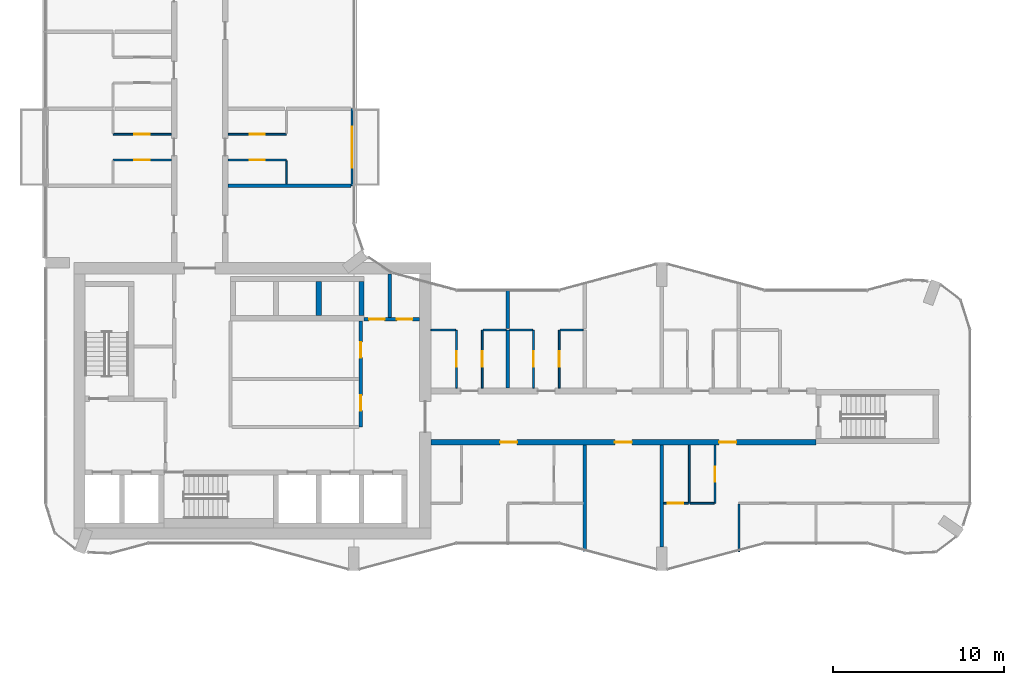
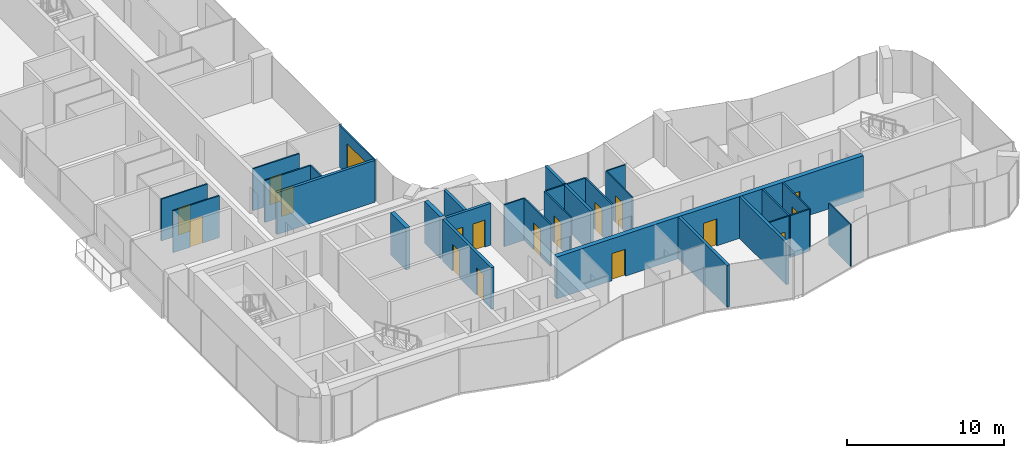
# One storey, part 14 of 22: 30 walls, 18 doors, 18 openings.
"""IFC4 building model written with IfcOpenShell, lengths in metres."""

from ifc_helpers import new_model, si_unit, direction, frame, frame_2d, origin, place, context, subcontext, project, spatial, rectangle, extrude, material, layer, layer_set, type_object, element, fill, save


model = new_model("IFC4")

# Units and contexts
model_context = context("Model", 3, precision=1e-05, world=origin(), true_north=direction((0.0, 1.0)))
body_context = subcontext(model_context, "Body", "Model", "MODEL_VIEW")
ifc_project = project(units=[si_unit("LENGTHUNIT", "METRE"), si_unit("AREAUNIT", "SQUARE_METRE"), si_unit("VOLUMEUNIT", "CUBIC_METRE"), si_unit("PLANEANGLEUNIT", "RADIAN"), si_unit("MASSUNIT", "GRAM", prefix="KILO")], contexts=[model_context])

# Site, building, storey
site_placement = place(None, origin())
site = spatial("IfcSite", under=ifc_project, at=site_placement, CompositionType="ELEMENT")
building_placement = place(site_placement, origin())
building = spatial("IfcBuilding", under=site, at=building_placement, Name="Plateau Cross Towers", CompositionType="ELEMENT")
storey_placement = place(building_placement, frame((0.0, 0.0, 99.300048828125)))
storey = spatial("IfcBuildingStorey", under=building, at=storey_placement, Name="L25", CompositionType="ELEMENT", Elevation=99.300048828125)

# Wall, opening, door
ifc_material_1 = material(Name="Aluminium framed glazing", Category="aluminium")
ifc_layer_1 = layer(ifc_material_1, 0.10009765625)
ifc_layer_set_1 = layer_set([ifc_layer_1], Name="Aluminium framed glazing")
wall_type_1 = type_object("IfcWallType", Name="Balcony screen wall 100", PredefinedType="STANDARD", material=ifc_layer_set_1)
wall_1_placement = place(storey_placement, frame((17.89990234375, 27.0, 0.0), z_axis=(0.0, 0.0, 1.0), x_axis=(0.0, -1.0, 0.0)))
wall_1 = element("IfcWall", 1, at=wall_1_placement, inside=storey, type_object=wall_type_1, Name="Balcony screen wall A-BAL-L25-02", PredefinedType="STANDARD", context=body_context, shape_type="SweptSolid", body=[
    extrude(rectangle(XDim=4.5, YDim=0.10009765625, at=frame_2d((2.25, 0.0))), origin(), (0.0, 0.0, 1.0), 3.25),
])
opening_1_placement = place(wall_1_placement, frame((1.050048828125, 0.0, 0.0)))
opening_1 = element("IfcOpeningElement", 2, at=opening_1_placement, cuts=wall_1, Name="Opening D-B24", PredefinedType="OPENING", context=body_context, shape_type="SweptSolid", body=[
    extrude(rectangle(XDim=2.39990234375, YDim=2.39990234375, at=frame_2d((1.199951171875, 1.199951171875))), frame((0.0, 0.06005859375, 0.0), z_axis=(0.0, -1.0, 0.0), x_axis=(1.0, 0.0, 0.0)), (0.0, 0.0, 1.0), 0.1201171875),
])
ifc_material_2 = material(Name="Aluminium frame, double glazing", Category="aluminium")
door_type_1 = type_object("IfcDoorType", Name="Balcony sliding door 2400", OperationType="NOTDEFINED", PredefinedType="DOOR", material=ifc_material_2)
door_1_placement = place(opening_1_placement, origin())
door_1 = element("IfcDoor", 3, at=door_1_placement, inside=storey, type_object=door_type_1, Name="Balcony door A-BAL-L25-02", OperationType="SINGLE_SWING_LEFT", OverallHeight=2.39990234375, OverallWidth=2.39990234375, PredefinedType="DOOR", context=body_context, shape_type="SweptSolid", body=[
    extrude(rectangle(XDim=2.39990234375, YDim=2.39990234375, at=frame_2d((1.199951171875, 1.199951171875))), frame((0.0, 0.02490234375, 0.0), z_axis=(0.0, -1.0, 0.0), x_axis=(1.0, 0.0, 0.0)), (0.0, 0.0, 1.0), 0.050048828125),
])
fill(opening_1, door_1)

# Wall, openings, doors
ifc_material_3 = material(Name="Concrete block, plastered both sides", Category="concrete")
ifc_layer_2 = layer(ifc_material_3, 0.199951171875)
ifc_layer_set_2 = layer_set([ifc_layer_2], Name="Concrete block, plastered both sides")
wall_type_2 = type_object("IfcWallType", Name="Core partition 200", PredefinedType="PARTITIONING", material=ifc_layer_set_2)
wall_2_placement = place(storey_placement, frame((18.39990234375, 8.39990234375, 0.0), z_axis=(0.0, 0.0, 1.0), x_axis=(0.0, 1.0, 0.0)))
wall_2 = element("IfcWall", 4, at=wall_2_placement, inside=storey, type_object=wall_type_2, Name="Core partition", PredefinedType="PARTITIONING", context=body_context, shape_type="SweptSolid", body=[
    extrude(rectangle(XDim=6.2001953125, YDim=0.199951171875, at=frame_2d((3.10009765625, 0.0))), origin(), (0.0, 0.0, 1.0), 3.25),
])
opening_2_placement = place(wall_2_placement, frame((0.949951171875, 0.0, 0.0)))
opening_2 = element("IfcOpeningElement", 5, at=opening_2_placement, cuts=wall_2, Name="Opening RD1", PredefinedType="OPENING", context=body_context, shape_type="SweptSolid", body=[
    extrude(rectangle(XDim=0.89990234375, YDim=2.10009765625, at=frame_2d((0.449951171875, 1.050048828125))), frame((0.0, 0.10986328125, 0.0), z_axis=(0.0, -1.0, 0.0), x_axis=(1.0, 0.0, 0.0)), (0.0, 0.0, 1.0), 0.219970703125),
])
opening_3_placement = place(wall_2_placement, frame((4.050048828125, 0.0, 0.0)))
opening_3 = element("IfcOpeningElement", 6, at=opening_3_placement, cuts=wall_2, Name="Opening RD1", PredefinedType="OPENING", context=body_context, shape_type="SweptSolid", body=[
    extrude(rectangle(XDim=0.89990234375, YDim=2.10009765625, at=frame_2d((0.449951171875, 1.050048828125))), frame((0.0, 0.10986328125, 0.0), z_axis=(0.0, -1.0, 0.0), x_axis=(1.0, 0.0, 0.0)), (0.0, 0.0, 1.0), 0.219970703125),
])
ifc_material_4 = material(Name="Timber, fire-resisting leaf", Category="wood")
door_type_2 = type_object("IfcDoorType", Name="Core service door 900", OperationType="NOTDEFINED", PredefinedType="DOOR", material=ifc_material_4)
door_2_placement = place(opening_2_placement, origin())
door_2 = element("IfcDoor", 7, at=door_2_placement, inside=storey, type_object=door_type_2, Name="Core service door RD1", OperationType="SINGLE_SWING_LEFT", OverallHeight=2.10009765625, OverallWidth=0.89990234375, PredefinedType="DOOR", context=body_context, shape_type="SweptSolid", body=[
    extrude(rectangle(XDim=0.89990234375, YDim=2.10009765625, at=frame_2d((0.449951171875, 1.050048828125))), frame((0.0, 0.02490234375, 0.0), z_axis=(0.0, -1.0, 0.0), x_axis=(1.0, 0.0, 0.0)), (0.0, 0.0, 1.0), 0.050048828125),
])
fill(opening_2, door_2)
door_3_placement = place(opening_3_placement, origin())
door_3 = element("IfcDoor", 8, at=door_3_placement, inside=storey, type_object=door_type_2, Name="Core service door RD1", OperationType="SINGLE_SWING_LEFT", OverallHeight=2.10009765625, OverallWidth=0.89990234375, PredefinedType="DOOR", context=body_context, shape_type="SweptSolid", body=[
    extrude(rectangle(XDim=0.89990234375, YDim=2.10009765625, at=frame_2d((0.449951171875, 1.050048828125))), frame((0.0, 0.02490234375, 0.0), z_axis=(0.0, -1.0, 0.0), x_axis=(1.0, 0.0, 0.0)), (0.0, 0.0, 1.0), 0.050048828125),
])
fill(opening_3, door_3)

wall_3_placement = place(storey_placement, frame((18.60009765625, 14.699951171875, 0.0), z_axis=(0.0, 0.0, 1.0), x_axis=(1.0, 0.0, 0.0)))
wall_3 = element("IfcWall", 9, at=wall_3_placement, inside=storey, type_object=wall_type_2, Name="Core partition", PredefinedType="PARTITIONING", context=body_context, shape_type="SweptSolid", body=[
    extrude(rectangle(XDim=3.25, YDim=0.199951171875, at=frame_2d((1.625, 0.0))), origin(), (0.0, 0.0, 1.0), 3.25),
])
opening_4_placement = place(wall_3_placement, frame((0.300048828125, 0.0, 0.0)))
opening_4 = element("IfcOpeningElement", 10, at=opening_4_placement, cuts=wall_3, Name="Opening RD2", PredefinedType="OPENING", context=body_context, shape_type="SweptSolid", body=[
    extrude(rectangle(XDim=0.89990234375, YDim=2.10009765625, at=frame_2d((0.449951171875, 1.050048828125))), frame((0.0, 0.10986328125, 0.0), z_axis=(0.0, -1.0, 0.0), x_axis=(1.0, 0.0, 0.0)), (0.0, 0.0, 1.0), 0.219970703125),
])
opening_5_placement = place(wall_3_placement, frame((1.925048828125, 0.0, 0.0)))
opening_5 = element("IfcOpeningElement", 11, at=opening_5_placement, cuts=wall_3, Name="Opening RD2", PredefinedType="OPENING", context=body_context, shape_type="SweptSolid", body=[
    extrude(rectangle(XDim=0.89990234375, YDim=2.10009765625, at=frame_2d((0.449951171875, 1.050048828125))), frame((0.0, 0.10986328125, 0.0), z_axis=(0.0, -1.0, 0.0), x_axis=(1.0, 0.0, 0.0)), (0.0, 0.0, 1.0), 0.219970703125),
])
ifc_material_5 = material(Name="Steel, fire-resisting leaf", Category="steel")
door_type_3 = type_object("IfcDoorType", Name="Core riser door 900", OperationType="NOTDEFINED", PredefinedType="DOOR", material=ifc_material_5)
door_4_placement = place(opening_4_placement, origin())
door_4 = element("IfcDoor", 12, at=door_4_placement, inside=storey, type_object=door_type_3, Name="Core riser door RD2", OperationType="SINGLE_SWING_LEFT", OverallHeight=2.10009765625, OverallWidth=0.89990234375, PredefinedType="DOOR", context=body_context, shape_type="SweptSolid", body=[
    extrude(rectangle(XDim=0.89990234375, YDim=2.10009765625, at=frame_2d((0.449951171875, 1.050048828125))), frame((0.0, 0.02490234375, 0.0), z_axis=(0.0, -1.0, 0.0), x_axis=(1.0, 0.0, 0.0)), (0.0, 0.0, 1.0), 0.050048828125),
])
fill(opening_4, door_4)
door_5_placement = place(opening_5_placement, origin())
door_5 = element("IfcDoor", 13, at=door_5_placement, inside=storey, type_object=door_type_3, Name="Core riser door RD2", OperationType="SINGLE_SWING_LEFT", OverallHeight=2.10009765625, OverallWidth=0.89990234375, PredefinedType="DOOR", context=body_context, shape_type="SweptSolid", body=[
    extrude(rectangle(XDim=0.89990234375, YDim=2.10009765625, at=frame_2d((0.449951171875, 1.050048828125))), frame((0.0, 0.02490234375, 0.0), z_axis=(0.0, -1.0, 0.0), x_axis=(1.0, 0.0, 0.0)), (0.0, 0.0, 1.0), 0.050048828125),
])
fill(opening_5, door_5)

# Walls
wall_4_placement = place(storey_placement, frame((20.10009765625, 14.800048828125, 0.0), z_axis=(0.0, 0.0, 1.0), x_axis=(0.0, 1.0, 0.0)))
element("IfcWall", 14, at=wall_4_placement, inside=storey, type_object=wall_type_2, Name="Core partition", PredefinedType="PARTITIONING", context=body_context, shape_type="SweptSolid", body=[
    extrude(rectangle(XDim=2.550048828125, YDim=0.199951171875, at=frame_2d((1.27490234375, 0.0))), origin(), (0.0, 0.0, 1.0), 3.25),
])
ifc_material_6 = material(Name="Concrete C60/75", Category="concrete")
ifc_layer_3 = layer(ifc_material_6, 0.300048828125)
ifc_layer_set_3 = layer_set([ifc_layer_3], Name="Concrete C60/75")
wall_type_3 = type_object("IfcWallType", Name="Core shaft wall 300", PredefinedType="SHEAR", material=ifc_layer_set_3)
for number, where, z_axis, x_axis, name in (
    (15, (15.949951171875, 14.89990234375, 0.0), (0.0, 0.0, 1.0), (0.0, 1.0, 0.0), "A-nb-v3@L25"),
    (16, (18.449951171875, 14.89990234375, 0.0), (0.0, 0.0, 1.0), (0.0, 1.0, 0.0), "A-nb-v4@L25"),
):
    element("IfcWall", number, at=place(storey_placement, frame(where, z_axis=z_axis, x_axis=x_axis)), inside=storey, type_object=wall_type_3, Name=name, PredefinedType="SHEAR", context=body_context, shape_type="SweptSolid", body=[
        extrude(rectangle(XDim=2.0, YDim=0.300048828125, at=frame_2d((1.0, 0.0))), origin(), (0.0, 0.0, 1.0), 3.25),
    ])

# Wall, openings, doors
ifc_layer_4 = layer(ifc_material_6, 0.324951171875)
ifc_layer_set_4 = layer_set([ifc_layer_4], Name="Concrete C60/75")
wall_type_4 = type_object("IfcWallType", Name="Corridor wall 325", PredefinedType="SHEAR", material=ifc_layer_set_4)
wall_5_placement = place(storey_placement, frame((22.5, 7.5, 0.0), z_axis=(0.0, 0.0, 1.0), x_axis=(1.0, 0.0, 0.0)))
wall_5 = element("IfcWall", 17, at=wall_5_placement, inside=storey, type_object=wall_type_4, Name="A-cw-S1@L25", PredefinedType="SHEAR", context=body_context, shape_type="SweptSolid", body=[
    extrude(rectangle(XDim=22.5, YDim=0.324951171875, at=frame_2d((11.25, 0.0))), origin(), (0.0, 0.0, 1.0), 3.25),
])
opening_6_placement = place(wall_5_placement, frame((4.050048828125, 0.0, 0.0)))
opening_6 = element("IfcOpeningElement", 18, at=opening_6_placement, cuts=wall_5, Name="Opening 25-01", PredefinedType="OPENING", context=body_context, shape_type="SweptSolid", body=[
    extrude(rectangle(XDim=1.0, YDim=2.10009765625, at=frame_2d((0.5, 1.050048828125))), frame((0.0, 0.17236328125, 0.0), z_axis=(0.0, -1.0, 0.0), x_axis=(1.0, 0.0, 0.0)), (0.0, 0.0, 1.0), 0.344970703125),
])
opening_7_placement = place(wall_5_placement, frame((10.75, 0.0, 0.0)))
opening_7 = element("IfcOpeningElement", 19, at=opening_7_placement, cuts=wall_5, Name="Opening 25-02", PredefinedType="OPENING", context=body_context, shape_type="SweptSolid", body=[
    extrude(rectangle(XDim=1.0, YDim=2.10009765625, at=frame_2d((0.5, 1.050048828125))), frame((0.0, 0.17236328125, 0.0), z_axis=(0.0, -1.0, 0.0), x_axis=(1.0, 0.0, 0.0)), (0.0, 0.0, 1.0), 0.344970703125),
])
opening_8_placement = place(wall_5_placement, frame((16.85009765625, 0.0, 0.0)))
opening_8 = element("IfcOpeningElement", 20, at=opening_8_placement, cuts=wall_5, Name="Opening 25-03", PredefinedType="OPENING", context=body_context, shape_type="SweptSolid", body=[
    extrude(rectangle(XDim=1.0, YDim=2.10009765625, at=frame_2d((0.5, 1.050048828125))), frame((0.0, 0.17236328125, 0.0), z_axis=(0.0, -1.0, 0.0), x_axis=(1.0, 0.0, 0.0)), (0.0, 0.0, 1.0), 0.344970703125),
])
door_type_4 = type_object("IfcDoorType", Name="Flat entrance door 1000", OperationType="NOTDEFINED", PredefinedType="DOOR", material=ifc_material_4)
door_6_placement = place(opening_6_placement, origin())
door_6 = element("IfcDoor", 21, at=door_6_placement, inside=storey, type_object=door_type_4, Name="Door 25-01", OperationType="SINGLE_SWING_LEFT", OverallHeight=2.10009765625, OverallWidth=1.0, PredefinedType="DOOR", context=body_context, shape_type="SweptSolid", body=[
    extrude(rectangle(XDim=1.0, YDim=2.10009765625, at=frame_2d((0.5, 1.050048828125))), frame((0.0, 0.02490234375, 0.0), z_axis=(0.0, -1.0, 0.0), x_axis=(1.0, 0.0, 0.0)), (0.0, 0.0, 1.0), 0.050048828125),
])
fill(opening_6, door_6)
door_7_placement = place(opening_7_placement, origin())
door_7 = element("IfcDoor", 22, at=door_7_placement, inside=storey, type_object=door_type_4, Name="Door 25-02", OperationType="SINGLE_SWING_LEFT", OverallHeight=2.10009765625, OverallWidth=1.0, PredefinedType="DOOR", context=body_context, shape_type="SweptSolid", body=[
    extrude(rectangle(XDim=1.0, YDim=2.10009765625, at=frame_2d((0.5, 1.050048828125))), frame((0.0, 0.02490234375, 0.0), z_axis=(0.0, -1.0, 0.0), x_axis=(1.0, 0.0, 0.0)), (0.0, 0.0, 1.0), 0.050048828125),
])
fill(opening_7, door_7)
door_8_placement = place(opening_8_placement, origin())
door_8 = element("IfcDoor", 23, at=door_8_placement, inside=storey, type_object=door_type_4, Name="Door 25-03", OperationType="SINGLE_SWING_RIGHT", OverallHeight=2.10009765625, OverallWidth=1.0, PredefinedType="DOOR", context=body_context, shape_type="SweptSolid", body=[
    extrude(rectangle(XDim=1.0, YDim=2.10009765625, at=frame_2d((0.5, 1.050048828125))), frame((0.0, 0.02490234375, 0.0), z_axis=(0.0, -1.0, 0.0), x_axis=(1.0, 0.0, 0.0)), (0.0, 0.0, 1.0), 0.050048828125),
])
fill(opening_8, door_8)

# Wall, opening, door
ifc_material_7 = material(Name="Gypsum board on steel studs", Category="steel")
ifc_layer_5 = layer(ifc_material_7, 0.10009765625)
ifc_layer_set_5 = layer_set([ifc_layer_5], Name="Gypsum board on steel studs")
wall_type_5 = type_object("IfcWallType", Name="Flat partition 100", PredefinedType="PARTITIONING", material=ifc_layer_set_5)
wall_6_placement = place(storey_placement, frame((36.10009765625, 3.9375, 0.0), z_axis=(0.0, 0.0, 1.0), x_axis=(1.0, 0.0, 0.0)))
wall_6 = element("IfcWall", 24, at=wall_6_placement, inside=storey, type_object=wall_type_5, Name="Partition wall", PredefinedType="PARTITIONING", context=body_context, shape_type="SweptSolid", body=[
    extrude(rectangle(XDim=1.449951171875, YDim=0.10009765625, at=frame_2d((0.72509765625, 0.0))), origin(), (0.0, 0.0, 1.0), 3.25),
])
opening_9_placement = place(wall_6_placement, frame((0.25, 0.0, 0.0)))
opening_9 = element("IfcOpeningElement", 25, at=opening_9_placement, cuts=wall_6, Name="Opening 25-24", PredefinedType="OPENING", context=body_context, shape_type="SweptSolid", body=[
    extrude(rectangle(XDim=0.89990234375, YDim=2.10009765625, at=frame_2d((0.449951171875, 1.050048828125))), frame((0.0, 0.06005859375, 0.0), z_axis=(0.0, -1.0, 0.0), x_axis=(1.0, 0.0, 0.0)), (0.0, 0.0, 1.0), 0.1201171875),
])
ifc_material_8 = material(Name="Timber leaf", Category="wood")
door_type_5 = type_object("IfcDoorType", Name="Flat room door 900", OperationType="NOTDEFINED", PredefinedType="DOOR", material=ifc_material_8)
door_9_placement = place(opening_9_placement, origin())
door_9 = element("IfcDoor", 26, at=door_9_placement, inside=storey, type_object=door_type_5, Name="Door 25-24", OperationType="SINGLE_SWING_LEFT", OverallHeight=2.10009765625, OverallWidth=0.89990234375, PredefinedType="DOOR", context=body_context, shape_type="SweptSolid", body=[
    extrude(rectangle(XDim=0.89990234375, YDim=2.10009765625, at=frame_2d((0.449951171875, 1.050048828125))), frame((0.0, 0.02490234375, 0.0), z_axis=(0.0, -1.0, 0.0), x_axis=(1.0, 0.0, 0.0)), (0.0, 0.0, 1.0), 0.050048828125),
])
fill(opening_9, door_9)

# Walls
wall_7_placement = place(storey_placement, frame((37.64990234375, 3.9375, 0.0), z_axis=(0.0, 0.0, 1.0), x_axis=(1.0, 0.0, 0.0)))
element("IfcWall", 27, at=wall_7_placement, inside=storey, type_object=wall_type_5, Name="Partition wall", PredefinedType="PARTITIONING", context=body_context, shape_type="SweptSolid", body=[
    extrude(rectangle(XDim=1.400146484375, YDim=0.10009765625, at=frame_2d((0.7001953125, 0.0))), origin(), (0.0, 0.0, 1.0), 3.25),
])
wall_8_placement = place(storey_placement, frame((23.949951171875, 14.0625, 0.0), z_axis=(0.0, 0.0, 1.0), x_axis=(-1.0, 0.0, 0.0)))
element("IfcWall", 28, at=wall_8_placement, inside=storey, type_object=wall_type_5, Name="Partition wall", PredefinedType="PARTITIONING", context=body_context, shape_type="SweptSolid", body=[
    extrude(rectangle(XDim=1.449951171875, YDim=0.10009765625, at=frame_2d((0.72509765625, 0.0))), origin(), (0.0, 0.0, 1.0), 3.25),
])
for number, where, z_axis, x_axis, name in (
    (29, (26.89990234375, 14.0625, 0.0), (0.0, 0.0, 1.0), (-1.0, 0.0, 0.0), "Partition wall"),
    (30, (28.449951171875, 14.0625, 0.0), (0.0, 0.0, 1.0), (-1.0, 0.0, 0.0), "Partition wall"),
    (31, (31.39990234375, 14.0625, 0.0), (0.0, 0.0, 1.0), (-1.0, 0.0, 0.0), "Partition wall"),
):
    element("IfcWall", number, at=place(storey_placement, frame(where, z_axis=z_axis, x_axis=x_axis)), inside=storey, type_object=wall_type_5, Name=name, PredefinedType="PARTITIONING", context=body_context, shape_type="SweptSolid", body=[
        extrude(rectangle(XDim=1.349853515625, YDim=0.10009765625, at=frame_2d((0.6748046875, 0.0))), origin(), (0.0, 0.0, 1.0), 3.25),
    ])

# Wall, opening, door
wall_9_placement = place(storey_placement, frame((7.33740234375, 24.0, 0.0), z_axis=(0.0, 0.0, 1.0), x_axis=(-1.0, 0.0, 0.0)))
wall_9 = element("IfcWall", 32, at=wall_9_placement, inside=storey, type_object=wall_type_5, Name="Partition wall", PredefinedType="PARTITIONING", context=body_context, shape_type="SweptSolid", body=[
    extrude(rectangle(XDim=3.39990234375, YDim=0.10009765625, at=frame_2d((1.699951171875, 0.0))), origin(), (0.0, 0.0, 1.0), 3.25),
])
opening_10_placement = place(wall_9_placement, frame((1.25, 0.0, 0.0)))
opening_10 = element("IfcOpeningElement", 33, at=opening_10_placement, cuts=wall_9, Name="Opening 25-35", PredefinedType="OPENING", context=body_context, shape_type="SweptSolid", body=[
    extrude(rectangle(XDim=0.89990234375, YDim=2.10009765625, at=frame_2d((0.449951171875, 1.050048828125))), frame((0.0, 0.06005859375, 0.0), z_axis=(0.0, -1.0, 0.0), x_axis=(1.0, 0.0, 0.0)), (0.0, 0.0, 1.0), 0.1201171875),
])
door_10_placement = place(opening_10_placement, origin())
door_10 = element("IfcDoor", 34, at=door_10_placement, inside=storey, type_object=door_type_5, Name="Door 25-35", OperationType="SINGLE_SWING_LEFT", OverallHeight=2.10009765625, OverallWidth=0.89990234375, PredefinedType="DOOR", context=body_context, shape_type="SweptSolid", body=[
    extrude(rectangle(XDim=0.89990234375, YDim=2.10009765625, at=frame_2d((0.449951171875, 1.050048828125))), frame((0.0, 0.02490234375, 0.0), z_axis=(0.0, -1.0, 0.0), x_axis=(1.0, 0.0, 0.0)), (0.0, 0.0, 1.0), 0.050048828125),
])
fill(opening_10, door_10)

wall_10_placement = place(storey_placement, frame((14.0625, 24.0, 0.0), z_axis=(0.0, 0.0, 1.0), x_axis=(-1.0, 0.0, 0.0)))
wall_10 = element("IfcWall", 35, at=wall_10_placement, inside=storey, type_object=wall_type_5, Name="Partition wall", PredefinedType="PARTITIONING", context=body_context, shape_type="SweptSolid", body=[
    extrude(rectangle(XDim=3.39990234375, YDim=0.10009765625, at=frame_2d((1.699951171875, 0.0))), origin(), (0.0, 0.0, 1.0), 3.25),
])
opening_11_placement = place(wall_10_placement, frame((1.25, 0.0, 0.0)))
opening_11 = element("IfcOpeningElement", 36, at=opening_11_placement, cuts=wall_10, Name="Opening 25-41", PredefinedType="OPENING", context=body_context, shape_type="SweptSolid", body=[
    extrude(rectangle(XDim=0.89990234375, YDim=2.10009765625, at=frame_2d((0.449951171875, 1.050048828125))), frame((0.0, 0.06005859375, 0.0), z_axis=(0.0, -1.0, 0.0), x_axis=(1.0, 0.0, 0.0)), (0.0, 0.0, 1.0), 0.1201171875),
])
door_11_placement = place(opening_11_placement, origin())
door_11 = element("IfcDoor", 37, at=door_11_placement, inside=storey, type_object=door_type_5, Name="Door 25-41", OperationType="SINGLE_SWING_LEFT", OverallHeight=2.10009765625, OverallWidth=0.89990234375, PredefinedType="DOOR", context=body_context, shape_type="SweptSolid", body=[
    extrude(rectangle(XDim=0.89990234375, YDim=2.10009765625, at=frame_2d((0.449951171875, 1.050048828125))), frame((0.0, 0.02490234375, 0.0), z_axis=(0.0, -1.0, 0.0), x_axis=(1.0, 0.0, 0.0)), (0.0, 0.0, 1.0), 0.050048828125),
])
fill(opening_11, door_11)

wall_11_placement = place(storey_placement, frame((3.9375, 25.5, 0.0), z_axis=(0.0, 0.0, 1.0), x_axis=(1.0, 0.0, 0.0)))
wall_11 = element("IfcWall", 38, at=wall_11_placement, inside=storey, type_object=wall_type_5, Name="Partition wall", PredefinedType="PARTITIONING", context=body_context, shape_type="SweptSolid", body=[
    extrude(rectangle(XDim=3.39990234375, YDim=0.10009765625, at=frame_2d((1.699951171875, 0.0))), origin(), (0.0, 0.0, 1.0), 3.25),
])
opening_12_placement = place(wall_11_placement, frame((1.25, 0.0, 0.0)))
opening_12 = element("IfcOpeningElement", 39, at=opening_12_placement, cuts=wall_11, Name="Opening 25-36", PredefinedType="OPENING", context=body_context, shape_type="SweptSolid", body=[
    extrude(rectangle(XDim=0.89990234375, YDim=2.10009765625, at=frame_2d((0.449951171875, 1.050048828125))), frame((0.0, 0.06005859375, 0.0), z_axis=(0.0, -1.0, 0.0), x_axis=(1.0, 0.0, 0.0)), (0.0, 0.0, 1.0), 0.1201171875),
])
door_12_placement = place(opening_12_placement, origin())
door_12 = element("IfcDoor", 40, at=door_12_placement, inside=storey, type_object=door_type_5, Name="Door 25-36", OperationType="SINGLE_SWING_LEFT", OverallHeight=2.10009765625, OverallWidth=0.89990234375, PredefinedType="DOOR", context=body_context, shape_type="SweptSolid", body=[
    extrude(rectangle(XDim=0.89990234375, YDim=2.10009765625, at=frame_2d((0.449951171875, 1.050048828125))), frame((0.0, 0.02490234375, 0.0), z_axis=(0.0, -1.0, 0.0), x_axis=(1.0, 0.0, 0.0)), (0.0, 0.0, 1.0), 0.050048828125),
])
fill(opening_12, door_12)

wall_12_placement = place(storey_placement, frame((10.66259765625, 25.5, 0.0), z_axis=(0.0, 0.0, 1.0), x_axis=(1.0, 0.0, 0.0)))
wall_12 = element("IfcWall", 41, at=wall_12_placement, inside=storey, type_object=wall_type_5, Name="Partition wall", PredefinedType="PARTITIONING", context=body_context, shape_type="SweptSolid", body=[
    extrude(rectangle(XDim=3.39990234375, YDim=0.10009765625, at=frame_2d((1.699951171875, 0.0))), origin(), (0.0, 0.0, 1.0), 3.25),
])
opening_13_placement = place(wall_12_placement, frame((1.25, 0.0, 0.0)))
opening_13 = element("IfcOpeningElement", 42, at=opening_13_placement, cuts=wall_12, Name="Opening 25-42", PredefinedType="OPENING", context=body_context, shape_type="SweptSolid", body=[
    extrude(rectangle(XDim=0.89990234375, YDim=2.10009765625, at=frame_2d((0.449951171875, 1.050048828125))), frame((0.0, 0.06005859375, 0.0), z_axis=(0.0, -1.0, 0.0), x_axis=(1.0, 0.0, 0.0)), (0.0, 0.0, 1.0), 0.1201171875),
])
door_13_placement = place(opening_13_placement, origin())
door_13 = element("IfcDoor", 43, at=door_13_placement, inside=storey, type_object=door_type_5, Name="Door 25-42", OperationType="SINGLE_SWING_LEFT", OverallHeight=2.10009765625, OverallWidth=0.89990234375, PredefinedType="DOOR", context=body_context, shape_type="SweptSolid", body=[
    extrude(rectangle(XDim=0.89990234375, YDim=2.10009765625, at=frame_2d((0.449951171875, 1.050048828125))), frame((0.0, 0.02490234375, 0.0), z_axis=(0.0, -1.0, 0.0), x_axis=(1.0, 0.0, 0.0)), (0.0, 0.0, 1.0), 0.050048828125),
])
fill(opening_13, door_13)

# Wall
wall_13_placement = place(storey_placement, frame((14.0625, 22.60009765625, 0.0), z_axis=(0.0, 0.0, 1.0), x_axis=(0.0, 1.0, 0.0)))
element("IfcWall", 44, at=wall_13_placement, inside=storey, type_object=wall_type_5, Name="Partition wall", PredefinedType="PARTITIONING", context=body_context, shape_type="SweptSolid", body=[
    extrude(rectangle(XDim=1.349853515625, YDim=0.10009765625, at=frame_2d((0.6748046875, 0.0))), origin(), (0.0, 0.0, 1.0), 3.25),
])

# Wall, opening, door
wall_14_placement = place(storey_placement, frame((24.0, 10.66259765625, 0.0), z_axis=(0.0, 0.0, 1.0), x_axis=(0.0, 1.0, 0.0)))
wall_14 = element("IfcWall", 45, at=wall_14_placement, inside=storey, type_object=wall_type_5, Name="Partition wall", PredefinedType="PARTITIONING", context=body_context, shape_type="SweptSolid", body=[
    extrude(rectangle(XDim=3.39990234375, YDim=0.10009765625, at=frame_2d((1.699951171875, 0.0))), origin(), (0.0, 0.0, 1.0), 3.25),
])
opening_14_placement = place(wall_14_placement, frame((1.25, 0.0, 0.0)))
opening_14 = element("IfcOpeningElement", 46, at=opening_14_placement, cuts=wall_14, Name="Opening 25-29", PredefinedType="OPENING", context=body_context, shape_type="SweptSolid", body=[
    extrude(rectangle(XDim=0.89990234375, YDim=2.10009765625, at=frame_2d((0.449951171875, 1.050048828125))), frame((0.0, 0.06005859375, 0.0), z_axis=(0.0, -1.0, 0.0), x_axis=(1.0, 0.0, 0.0)), (0.0, 0.0, 1.0), 0.1201171875),
])
door_14_placement = place(opening_14_placement, origin())
door_14 = element("IfcDoor", 47, at=door_14_placement, inside=storey, type_object=door_type_5, Name="Door 25-29", OperationType="SINGLE_SWING_LEFT", OverallHeight=2.10009765625, OverallWidth=0.89990234375, PredefinedType="DOOR", context=body_context, shape_type="SweptSolid", body=[
    extrude(rectangle(XDim=0.89990234375, YDim=2.10009765625, at=frame_2d((0.449951171875, 1.050048828125))), frame((0.0, 0.02490234375, 0.0), z_axis=(0.0, -1.0, 0.0), x_axis=(1.0, 0.0, 0.0)), (0.0, 0.0, 1.0), 0.050048828125),
])
fill(opening_14, door_14)

wall_15_placement = place(storey_placement, frame((25.5, 14.0625, 0.0), z_axis=(0.0, 0.0, 1.0), x_axis=(0.0, -1.0, 0.0)))
wall_15 = element("IfcWall", 48, at=wall_15_placement, inside=storey, type_object=wall_type_5, Name="Partition wall", PredefinedType="PARTITIONING", context=body_context, shape_type="SweptSolid", body=[
    extrude(rectangle(XDim=3.39990234375, YDim=0.10009765625, at=frame_2d((1.699951171875, 0.0))), origin(), (0.0, 0.0, 1.0), 3.25),
])
opening_15_placement = place(wall_15_placement, frame((1.25, 0.0, 0.0)))
opening_15 = element("IfcOpeningElement", 49, at=opening_15_placement, cuts=wall_15, Name="Opening 25-30", PredefinedType="OPENING", context=body_context, shape_type="SweptSolid", body=[
    extrude(rectangle(XDim=0.89990234375, YDim=2.10009765625, at=frame_2d((0.449951171875, 1.050048828125))), frame((0.0, 0.06005859375, 0.0), z_axis=(0.0, -1.0, 0.0), x_axis=(1.0, 0.0, 0.0)), (0.0, 0.0, 1.0), 0.1201171875),
])
door_15_placement = place(opening_15_placement, origin())
door_15 = element("IfcDoor", 50, at=door_15_placement, inside=storey, type_object=door_type_5, Name="Door 25-30", OperationType="SINGLE_SWING_LEFT", OverallHeight=2.10009765625, OverallWidth=0.89990234375, PredefinedType="DOOR", context=body_context, shape_type="SweptSolid", body=[
    extrude(rectangle(XDim=0.89990234375, YDim=2.10009765625, at=frame_2d((0.449951171875, 1.050048828125))), frame((0.0, 0.02490234375, 0.0), z_axis=(0.0, -1.0, 0.0), x_axis=(1.0, 0.0, 0.0)), (0.0, 0.0, 1.0), 0.050048828125),
])
fill(opening_15, door_15)

wall_16_placement = place(storey_placement, frame((28.5, 10.66259765625, 0.0), z_axis=(0.0, 0.0, 1.0), x_axis=(0.0, 1.0, 0.0)))
wall_16 = element("IfcWall", 51, at=wall_16_placement, inside=storey, type_object=wall_type_5, Name="Partition wall", PredefinedType="PARTITIONING", context=body_context, shape_type="SweptSolid", body=[
    extrude(rectangle(XDim=3.39990234375, YDim=0.10009765625, at=frame_2d((1.699951171875, 0.0))), origin(), (0.0, 0.0, 1.0), 3.25),
])
opening_16_placement = place(wall_16_placement, frame((1.25, 0.0, 0.0)))
opening_16 = element("IfcOpeningElement", 52, at=opening_16_placement, cuts=wall_16, Name="Opening 25-31", PredefinedType="OPENING", context=body_context, shape_type="SweptSolid", body=[
    extrude(rectangle(XDim=0.89990234375, YDim=2.10009765625, at=frame_2d((0.449951171875, 1.050048828125))), frame((0.0, 0.06005859375, 0.0), z_axis=(0.0, -1.0, 0.0), x_axis=(1.0, 0.0, 0.0)), (0.0, 0.0, 1.0), 0.1201171875),
])
door_16_placement = place(opening_16_placement, origin())
door_16 = element("IfcDoor", 53, at=door_16_placement, inside=storey, type_object=door_type_5, Name="Door 25-31", OperationType="SINGLE_SWING_LEFT", OverallHeight=2.10009765625, OverallWidth=0.89990234375, PredefinedType="DOOR", context=body_context, shape_type="SweptSolid", body=[
    extrude(rectangle(XDim=0.89990234375, YDim=2.10009765625, at=frame_2d((0.449951171875, 1.050048828125))), frame((0.0, 0.02490234375, 0.0), z_axis=(0.0, -1.0, 0.0), x_axis=(1.0, 0.0, 0.0)), (0.0, 0.0, 1.0), 0.050048828125),
])
fill(opening_16, door_16)

wall_17_placement = place(storey_placement, frame((30.0, 14.0625, 0.0), z_axis=(0.0, 0.0, 1.0), x_axis=(0.0, -1.0, 0.0)))
wall_17 = element("IfcWall", 54, at=wall_17_placement, inside=storey, type_object=wall_type_5, Name="Partition wall", PredefinedType="PARTITIONING", context=body_context, shape_type="SweptSolid", body=[
    extrude(rectangle(XDim=3.39990234375, YDim=0.10009765625, at=frame_2d((1.699951171875, 0.0))), origin(), (0.0, 0.0, 1.0), 3.25),
])
opening_17_placement = place(wall_17_placement, frame((1.25, 0.0, 0.0)))
opening_17 = element("IfcOpeningElement", 55, at=opening_17_placement, cuts=wall_17, Name="Opening 25-32", PredefinedType="OPENING", context=body_context, shape_type="SweptSolid", body=[
    extrude(rectangle(XDim=0.89990234375, YDim=2.10009765625, at=frame_2d((0.449951171875, 1.050048828125))), frame((0.0, 0.06005859375, 0.0), z_axis=(0.0, -1.0, 0.0), x_axis=(1.0, 0.0, 0.0)), (0.0, 0.0, 1.0), 0.1201171875),
])
door_17_placement = place(opening_17_placement, origin())
door_17 = element("IfcDoor", 56, at=door_17_placement, inside=storey, type_object=door_type_5, Name="Door 25-32", OperationType="SINGLE_SWING_LEFT", OverallHeight=2.10009765625, OverallWidth=0.89990234375, PredefinedType="DOOR", context=body_context, shape_type="SweptSolid", body=[
    extrude(rectangle(XDim=0.89990234375, YDim=2.10009765625, at=frame_2d((0.449951171875, 1.050048828125))), frame((0.0, 0.02490234375, 0.0), z_axis=(0.0, -1.0, 0.0), x_axis=(1.0, 0.0, 0.0)), (0.0, 0.0, 1.0), 0.050048828125),
])
fill(opening_17, door_17)

# Wall
wall_18_placement = place(storey_placement, frame((37.60009765625, 3.9375, 0.0), z_axis=(0.0, 0.0, 1.0), x_axis=(0.0, 1.0, 0.0)))
element("IfcWall", 57, at=wall_18_placement, inside=storey, type_object=wall_type_5, Name="Partition wall", PredefinedType="PARTITIONING", context=body_context, shape_type="SweptSolid", body=[
    extrude(rectangle(XDim=3.39990234375, YDim=0.10009765625, at=frame_2d((1.699951171875, 0.0))), origin(), (0.0, 0.0, 1.0), 3.25),
])

# Wall, opening, door
wall_19_placement = place(storey_placement, frame((39.10009765625, 3.9375, 0.0), z_axis=(0.0, 0.0, 1.0), x_axis=(0.0, 1.0, 0.0)))
wall_19 = element("IfcWall", 58, at=wall_19_placement, inside=storey, type_object=wall_type_5, Name="Partition wall", PredefinedType="PARTITIONING", context=body_context, shape_type="SweptSolid", body=[
    extrude(rectangle(XDim=3.39990234375, YDim=0.10009765625, at=frame_2d((1.699951171875, 0.0))), origin(), (0.0, 0.0, 1.0), 3.25),
])
opening_18_placement = place(wall_19_placement, frame((1.25, 0.0, 0.0)))
opening_18 = element("IfcOpeningElement", 59, at=opening_18_placement, cuts=wall_19, Name="Opening 25-25", PredefinedType="OPENING", context=body_context, shape_type="SweptSolid", body=[
    extrude(rectangle(XDim=0.89990234375, YDim=2.10009765625, at=frame_2d((0.449951171875, 1.050048828125))), frame((0.0, 0.06005859375, 0.0), z_axis=(0.0, -1.0, 0.0), x_axis=(1.0, 0.0, 0.0)), (0.0, 0.0, 1.0), 0.1201171875),
])
door_18_placement = place(opening_18_placement, origin())
door_18 = element("IfcDoor", 60, at=door_18_placement, inside=storey, type_object=door_type_5, Name="Door 25-25", OperationType="SINGLE_SWING_LEFT", OverallHeight=2.10009765625, OverallWidth=0.89990234375, PredefinedType="DOOR", context=body_context, shape_type="SweptSolid", body=[
    extrude(rectangle(XDim=0.89990234375, YDim=2.10009765625, at=frame_2d((0.449951171875, 1.050048828125))), frame((0.0, 0.02490234375, 0.0), z_axis=(0.0, -1.0, 0.0), x_axis=(1.0, 0.0, 0.0)), (0.0, 0.0, 1.0), 0.050048828125),
])
fill(opening_18, door_18)

# Walls
wall_20_placement = place(storey_placement, frame((40.5, 3.887451171875, 0.0), z_axis=(0.0, 0.0, 1.0), x_axis=(0.0, -1.0, 0.0)))
element("IfcWall", 61, at=wall_20_placement, inside=storey, type_object=wall_type_5, Name="Partition wall", PredefinedType="PARTITIONING", context=body_context, shape_type="SweptSolid", body=[
    extrude(rectangle(XDim=2.76513671875, YDim=0.10009765625, at=frame_2d((1.382568359375, 0.0))), origin(), (0.0, 0.0, 1.0), 3.25),
])
ifc_material_9 = material(Name="Gypsum board on steel studs, two layers each side", Category="steel")
ifc_layer_6 = layer(ifc_material_9, 0.199951171875)
ifc_layer_set_6 = layer_set([ifc_layer_6], Name="Gypsum board on steel studs, two layers each side")
wall_type_6 = type_object("IfcWallType", Name="Flat party wall 200", PredefinedType="PARTITIONING", material=ifc_layer_set_6)
wall_21_placement = place(storey_placement, frame((17.85009765625, 22.5, 0.0), z_axis=(0.0, 0.0, 1.0), x_axis=(-1.0, 0.0, 0.0)))
element("IfcWall", 62, at=wall_21_placement, inside=storey, type_object=wall_type_6, Name="Party wall", PredefinedType="PARTITIONING", context=body_context, shape_type="SweptSolid", body=[
    extrude(rectangle(XDim=7.1875, YDim=0.199951171875, at=frame_2d((3.59375, 0.0))), origin(), (0.0, 0.0, 1.0), 3.25),
])
wall_22_placement = place(storey_placement, frame((27.0, 16.47314453125, 0.0), z_axis=(0.0, 0.0, 1.0), x_axis=(0.0, -1.0, 0.0)))
element("IfcWall", 63, at=wall_22_placement, inside=storey, type_object=wall_type_6, Name="Party wall", PredefinedType="PARTITIONING", context=body_context, shape_type="SweptSolid", body=[
    extrude(rectangle(XDim=2.310546875, YDim=0.199951171875, at=frame_2d((1.1552734375, 0.0))), origin(), (0.0, 0.0, 1.0), 3.25),
])
wall_23_placement = place(storey_placement, frame((27.0, 10.66259765625, 0.0), z_axis=(0.0, 0.0, 1.0), x_axis=(0.0, 1.0, 0.0)))
element("IfcWall", 64, at=wall_23_placement, inside=storey, type_object=wall_type_6, Name="Party wall", PredefinedType="PARTITIONING", context=body_context, shape_type="SweptSolid", body=[
    extrude(rectangle(XDim=3.39990234375, YDim=0.199951171875, at=frame_2d((1.699951171875, 0.0))), origin(), (0.0, 0.0, 1.0), 3.25),
])
wall_24_placement = place(storey_placement, frame((31.5, 1.122314453125, 0.0), z_axis=(0.0, 0.0, 1.0), x_axis=(0.0, 1.0, 0.0)))
element("IfcWall", 65, at=wall_24_placement, inside=storey, type_object=wall_type_6, Name="Party wall", PredefinedType="PARTITIONING", context=body_context, shape_type="SweptSolid", body=[
    extrude(rectangle(XDim=6.215087890625, YDim=0.199951171875, at=frame_2d((3.107421875, 0.0))), origin(), (0.0, 0.0, 1.0), 3.25),
])
wall_25_placement = place(storey_placement, frame((36.0, 1.39990234375, 0.0), z_axis=(0.0, 0.0, 1.0), x_axis=(0.0, 1.0, 0.0)))
element("IfcWall", 66, at=wall_25_placement, inside=storey, type_object=wall_type_6, Name="Party wall", PredefinedType="PARTITIONING", context=body_context, shape_type="SweptSolid", body=[
    extrude(rectangle(XDim=5.9375, YDim=0.199951171875, at=frame_2d((2.96875, 0.0))), origin(), (0.0, 0.0, 1.0), 3.25),
])

save(model, "model.ifc")
